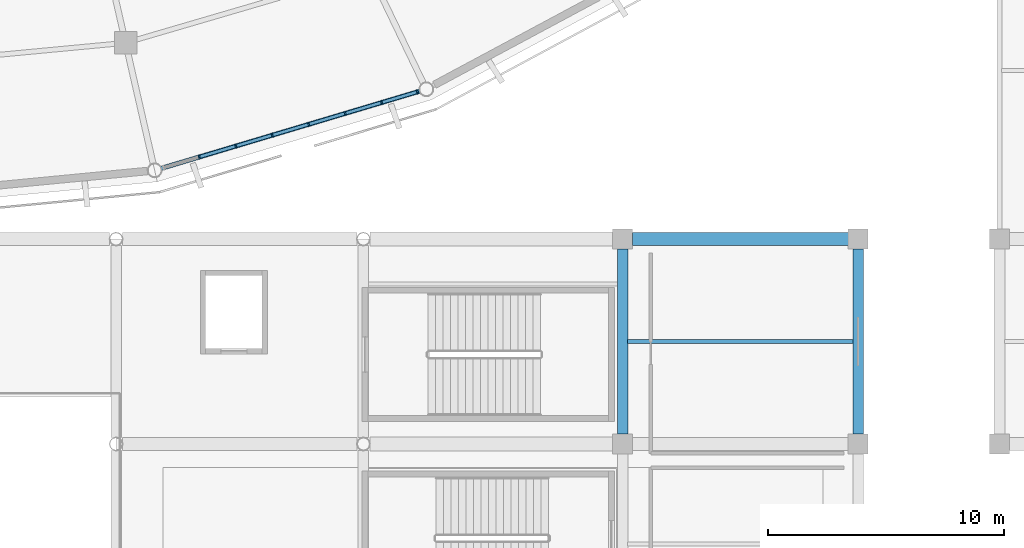
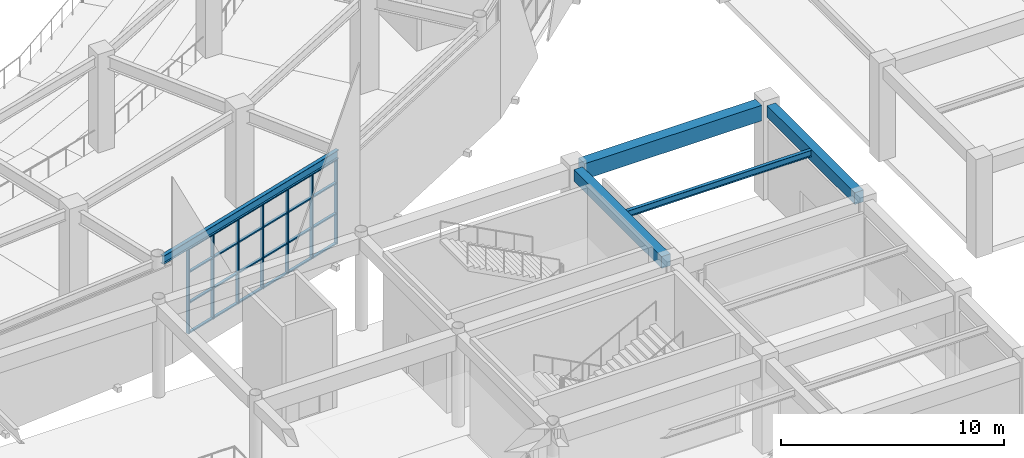
# One storey, part 28 of 120: 31 members, 5 beams, 1 element without a shape of its own.
"""IFC4 building model written with IfcOpenShell, lengths in metres."""

from ifc_helpers import new_model, si_unit, direction, frame, origin, origin_2d, place, context, subcontext, project, spatial, rectangle, i_section, extrude, material, material_profile, profile_set, type_object, element, aggregate, save


model = new_model("IFC4")

# Units and contexts
model_context = context("Model", 3, precision=1e-05, world=origin(), true_north=direction((0.0, 1.0)))
body_context = subcontext(model_context, "Body", "Model", "MODEL_VIEW")
ifc_project = project(units=[si_unit("LENGTHUNIT", "METRE"), si_unit("AREAUNIT", "SQUARE_METRE"), si_unit("VOLUMEUNIT", "CUBIC_METRE"), si_unit("PLANEANGLEUNIT", "RADIAN"), si_unit("MASSUNIT", "GRAM", prefix="KILO")], contexts=[model_context])

# Site, building, storey
site_placement = place(None, origin())
site = spatial("IfcSite", under=ifc_project, at=site_placement, CompositionType="ELEMENT")
building_placement = place(site_placement, origin())
building = spatial("IfcBuilding", under=site, at=building_placement, Name="Cuetzalor Civic Arena", CompositionType="ELEMENT")
storey_placement = place(building_placement, frame((0.0, 0.0, 6.0)))
storey = spatial("IfcBuildingStorey", under=building, at=storey_placement, Name="L01", CompositionType="ELEMENT", Elevation=6.0)

# Beams
ifc_material_1 = material(Name="Concrete C40/50", Category="concrete")
ifc_material_profile_1 = material_profile(ifc_material_1, rectangle(XDim=0.550048828125, YDim=0.85009765625, at=origin_2d()), Name="RC 550x850")
ifc_profile_set_1 = profile_set([ifc_material_profile_1], Name="Concrete C40/50")
beam_type_1 = type_object("IfcBeamType", Name="ConcreteFrameBeam_550x850", PredefinedType="BEAM", material=ifc_profile_set_1)
beam_1_placement = place(storey_placement, frame((32.4150390625, -48.300048828125, 4.695068359375), z_axis=(1.0, 0.0, 0.0), x_axis=(0.0, 1.0, 0.0)))
element("IfcBeam", 1, at=beam_1_placement, inside=storey, type_object=beam_type_1, Name="Frame Girder V3-L01-X0318", PredefinedType="BEAM", context=body_context, shape_type="SweptSolid", body=[
    extrude(rectangle(XDim=0.550048828125, YDim=0.85009765625, at=origin_2d()), origin(), (0.0, 0.0, 1.0), 9.169921875),
])
ifc_material_2 = material(Name="Concrete C40/50", Category="concrete")
ifc_material_profile_2 = material_profile(ifc_material_2, rectangle(XDim=0.449951171875, YDim=0.64990234375, at=origin_2d()), Name="RC 450x650")
ifc_profile_set_2 = profile_set([ifc_material_profile_2], Name="Concrete C40/50")
beam_type_2 = type_object("IfcBeamType", Name="ConcreteTieBeam_450x650", PredefinedType="BEAM", material=ifc_profile_set_2)
for number, where, z_axis, x_axis, name in (
    (2, (32.0, -56.5849609375, 4.794921875), (0.0, 1.0, 0.0), (-1.0, 0.0, 0.0), "Frame Girder V3-L01-Y0341"),
    (3, (42.0, -56.5849609375, 4.794921875), (0.0, 1.0, 0.0), (-1.0, 0.0, 0.0), "Frame Girder V3-L01-Y0344"),
):
    element("IfcBeam", number, at=place(storey_placement, frame(where, z_axis=z_axis, x_axis=x_axis)), inside=storey, type_object=beam_type_2, Name=name, PredefinedType="BEAM", context=body_context, shape_type="SweptSolid", body=[
        extrude(rectangle(XDim=0.449951171875, YDim=0.64990234375, at=origin_2d()), origin(), (0.0, 0.0, 1.0), 7.869873046875),
    ])

# Curtain wall, members
ifc_material_3 = material(Name="Anodised dark bronze aluminium and low-E solar glass", Category="aluminium")
curtain_wall_type = type_object("IfcCurtainWallType", Name="UnitisedCW_11300x4650", PredefinedType="USERDEFINED", material=ifc_material_3)
curtain_wall_placement = place(storey_placement, origin())
curtain_wall = element("IfcCurtainWall", 4, at=curtain_wall_placement, inside=storey, type_object=curtain_wall_type, Name="Drum Triangle Foyer Curtain Wall L01-030", ObjectType="UNITISED CURTAIN WALL", PredefinedType="USERDEFINED")
ifc_material_4 = material(Name="Anodised dark bronze aluminium", Category="aluminium")
ifc_material_profile_3 = material_profile(ifc_material_4, rectangle(XDim=0.070068359375, YDim=0.179931640625, at=origin_2d()), Name="ALU MULLION 70x180")
ifc_profile_set_3 = profile_set([ifc_material_profile_3], Name="Anodised dark bronze aluminium")
member_type_1 = type_object("IfcMemberType", Name="CurtainWallMullion_65x180", PredefinedType="MULLION", material=ifc_profile_set_3)
member_1_placement = place(storey_placement, frame((23.28857421875, -42.053466796875, 0.0), z_axis=(0.0, 0.0, 1.0), x_axis=(-0.958193690548, -0.286120344251, 0.0)))
member_1 = element("IfcMember", 5, at=member_1_placement, type_object=member_type_1, Name="CW-09 mullion 1", PredefinedType="MULLION", context=body_context, shape_type="SweptSolid", body=[
    extrude(rectangle(XDim=0.070068359375, YDim=0.179931640625, at=origin_2d()), origin(), (0.0, 0.0, 1.0), 4.653076171875),
])
member_2_placement = place(storey_placement, frame((21.77392578125, -42.505859375, 0.0), z_axis=(0.0, 0.0, 1.0), x_axis=(-0.958193690548, -0.286120344251, 0.0)))
member_2 = element("IfcMember", 6, at=member_2_placement, type_object=member_type_1, Name="CW-09 mullion 2", PredefinedType="MULLION", context=body_context, shape_type="SweptSolid", body=[
    extrude(rectangle(XDim=0.070068359375, YDim=0.179931640625, at=origin_2d()), origin(), (0.0, 0.0, 1.0), 4.653076171875),
])
member_3_placement = place(storey_placement, frame((20.2255859375, -42.968017578125, 0.0), z_axis=(0.0, 0.0, 1.0), x_axis=(-0.958193690548, -0.286120344251, 0.0)))
member_3 = element("IfcMember", 7, at=member_3_placement, type_object=member_type_1, Name="CW-09 mullion 3", PredefinedType="MULLION", context=body_context, shape_type="SweptSolid", body=[
    extrude(rectangle(XDim=0.070068359375, YDim=0.179931640625, at=origin_2d()), origin(), (0.0, 0.0, 1.0), 4.653076171875),
])
member_4_placement = place(storey_placement, frame((18.677490234375, -43.430419921875, 0.0), z_axis=(0.0, 0.0, 1.0), x_axis=(-0.958193690548, -0.286120344251, 0.0)))
member_4 = element("IfcMember", 8, at=member_4_placement, type_object=member_type_1, Name="CW-09 mullion 4", PredefinedType="MULLION", context=body_context, shape_type="SweptSolid", body=[
    extrude(rectangle(XDim=0.070068359375, YDim=0.179931640625, at=origin_2d()), origin(), (0.0, 0.0, 1.0), 4.653076171875),
])
member_5_placement = place(storey_placement, frame((17.12939453125, -43.892578125, 0.0), z_axis=(0.0, 0.0, 1.0), x_axis=(-0.958193690548, -0.286120344251, 0.0)))
member_5 = element("IfcMember", 9, at=member_5_placement, type_object=member_type_1, Name="CW-09 mullion 5", PredefinedType="MULLION", context=body_context, shape_type="SweptSolid", body=[
    extrude(rectangle(XDim=0.070068359375, YDim=0.179931640625, at=origin_2d()), origin(), (0.0, 0.0, 1.0), 4.653076171875),
])
member_6_placement = place(storey_placement, frame((15.581298828125, -44.35498046875, 0.0), z_axis=(0.0, 0.0, 1.0), x_axis=(-0.958193690548, -0.286120344251, 0.0)))
member_6 = element("IfcMember", 10, at=member_6_placement, type_object=member_type_1, Name="CW-09 mullion 6", PredefinedType="MULLION", context=body_context, shape_type="SweptSolid", body=[
    extrude(rectangle(XDim=0.070068359375, YDim=0.179931640625, at=origin_2d()), origin(), (0.0, 0.0, 1.0), 4.653076171875),
])
member_7_placement = place(storey_placement, frame((14.032958984375, -44.817138671875, 0.0), z_axis=(0.0, 0.0, 1.0), x_axis=(-0.958193690548, -0.286120344251, 0.0)))
member_7 = element("IfcMember", 11, at=member_7_placement, type_object=member_type_1, Name="CW-09 mullion 7", PredefinedType="MULLION", context=body_context, shape_type="SweptSolid", body=[
    extrude(rectangle(XDim=0.070068359375, YDim=0.179931640625, at=origin_2d()), origin(), (0.0, 0.0, 1.0), 4.653076171875),
])
ifc_material_5 = material(Name="Anodised dark bronze aluminium", Category="aluminium")
ifc_material_profile_4 = material_profile(ifc_material_5, rectangle(XDim=0.139892578125, YDim=0.070068359375, at=origin_2d()), Name="ALU TRANSOM 70x140")
ifc_profile_set_4 = profile_set([ifc_material_profile_4], Name="Anodised dark bronze aluminium")
member_type_2 = type_object("IfcMemberType", Name="CurtainWallTransom_65x140", PredefinedType="USERDEFINED", material=ifc_profile_set_4)
member_8_placement = place(storey_placement, frame((23.2548828125, -42.0634765625, 0.034912109375), z_axis=(-0.958168093169, -0.286206053804, 0.0), x_axis=(0.286206053804, -0.958168093169, 0.0)))
member_8 = element("IfcMember", 12, at=member_8_placement, type_object=member_type_2, Name="CW-09 transom 1.1", ObjectType="TRANSOM", PredefinedType="USERDEFINED", context=body_context, shape_type="SweptSolid", body=[
    extrude(rectangle(XDim=0.139892578125, YDim=0.070068359375, at=origin_2d()), origin(), (0.0, 0.0, 1.0), 1.5107421875),
])
member_9_placement = place(storey_placement, frame((23.2548828125, -42.0634765625, 1.675048828125), z_axis=(-0.958168093169, -0.286206053804, 0.0), x_axis=(0.286206053804, -0.958168093169, 0.0)))
member_9 = element("IfcMember", 13, at=member_9_placement, type_object=member_type_2, Name="CW-09 transom 1.2", ObjectType="TRANSOM", PredefinedType="USERDEFINED", context=body_context, shape_type="SweptSolid", body=[
    extrude(rectangle(XDim=0.139892578125, YDim=0.070068359375, at=origin_2d()), origin(), (0.0, 0.0, 1.0), 1.5107421875),
])
member_10_placement = place(storey_placement, frame((23.2548828125, -42.0634765625, 3.35009765625), z_axis=(-0.958168093169, -0.286206053804, 0.0), x_axis=(0.286206053804, -0.958168093169, 0.0)))
member_10 = element("IfcMember", 14, at=member_10_placement, type_object=member_type_2, Name="CW-09 transom 1.3", ObjectType="TRANSOM", PredefinedType="USERDEFINED", context=body_context, shape_type="SweptSolid", body=[
    extrude(rectangle(XDim=0.139892578125, YDim=0.070068359375, at=origin_2d()), origin(), (0.0, 0.0, 1.0), 1.5107421875),
])
member_11_placement = place(storey_placement, frame((23.2548828125, -42.0634765625, 4.617919921875), z_axis=(-0.958168093169, -0.286206053804, 0.0), x_axis=(0.286206053804, -0.958168093169, 0.0)))
member_11 = element("IfcMember", 15, at=member_11_placement, type_object=member_type_2, Name="CW-09 transom 1.4", ObjectType="TRANSOM", PredefinedType="USERDEFINED", context=body_context, shape_type="SweptSolid", body=[
    extrude(rectangle(XDim=0.139892578125, YDim=0.070068359375, at=origin_2d()), origin(), (0.0, 0.0, 1.0), 1.5107421875),
])
member_12_placement = place(storey_placement, frame((21.740234375, -42.515869140625, 0.034912109375), z_axis=(-0.958208027284, -0.286072327302, 0.0), x_axis=(0.286072327302, -0.958208027284, 0.0)))
member_12 = element("IfcMember", 16, at=member_12_placement, type_object=member_type_2, Name="CW-09 transom 2.1", ObjectType="TRANSOM", PredefinedType="USERDEFINED", context=body_context, shape_type="SweptSolid", body=[
    extrude(rectangle(XDim=0.139892578125, YDim=0.070068359375, at=origin_2d()), origin(), (0.0, 0.0, 1.0), 1.545654296875),
])
member_13_placement = place(storey_placement, frame((21.740234375, -42.515869140625, 1.675048828125), z_axis=(-0.958208027284, -0.286072327302, 0.0), x_axis=(0.286072327302, -0.958208027284, 0.0)))
member_13 = element("IfcMember", 17, at=member_13_placement, type_object=member_type_2, Name="CW-09 transom 2.2", ObjectType="TRANSOM", PredefinedType="USERDEFINED", context=body_context, shape_type="SweptSolid", body=[
    extrude(rectangle(XDim=0.139892578125, YDim=0.070068359375, at=origin_2d()), origin(), (0.0, 0.0, 1.0), 1.545654296875),
])
member_14_placement = place(storey_placement, frame((21.740234375, -42.515869140625, 3.35009765625), z_axis=(-0.958208027284, -0.286072327302, 0.0), x_axis=(0.286072327302, -0.958208027284, 0.0)))
member_14 = element("IfcMember", 18, at=member_14_placement, type_object=member_type_2, Name="CW-09 transom 2.3", ObjectType="TRANSOM", PredefinedType="USERDEFINED", context=body_context, shape_type="SweptSolid", body=[
    extrude(rectangle(XDim=0.139892578125, YDim=0.070068359375, at=origin_2d()), origin(), (0.0, 0.0, 1.0), 1.545654296875),
])
member_15_placement = place(storey_placement, frame((21.740234375, -42.515869140625, 4.617919921875), z_axis=(-0.958208027284, -0.286072327302, 0.0), x_axis=(0.286072327302, -0.958208027284, 0.0)))
member_15 = element("IfcMember", 19, at=member_15_placement, type_object=member_type_2, Name="CW-09 transom 2.4", ObjectType="TRANSOM", PredefinedType="USERDEFINED", context=body_context, shape_type="SweptSolid", body=[
    extrude(rectangle(XDim=0.139892578125, YDim=0.070068359375, at=origin_2d()), origin(), (0.0, 0.0, 1.0), 1.545654296875),
])
member_16_placement = place(storey_placement, frame((20.192138671875, -42.97802734375, 0.034912109375), z_axis=(-0.958164717752, -0.286217353869, 0.0), x_axis=(0.286217353869, -0.958164717752, 0.0)))
member_16 = element("IfcMember", 20, at=member_16_placement, type_object=member_type_2, Name="CW-09 transom 3.1", ObjectType="TRANSOM", PredefinedType="USERDEFINED", context=body_context, shape_type="SweptSolid", body=[
    extrude(rectangle(XDim=0.139892578125, YDim=0.070068359375, at=origin_2d()), origin(), (0.0, 0.0, 1.0), 1.545654296875),
])
member_17_placement = place(storey_placement, frame((20.192138671875, -42.97802734375, 1.675048828125), z_axis=(-0.958164717752, -0.286217353869, 0.0), x_axis=(0.286217353869, -0.958164717752, 0.0)))
member_17 = element("IfcMember", 21, at=member_17_placement, type_object=member_type_2, Name="CW-09 transom 3.2", ObjectType="TRANSOM", PredefinedType="USERDEFINED", context=body_context, shape_type="SweptSolid", body=[
    extrude(rectangle(XDim=0.139892578125, YDim=0.070068359375, at=origin_2d()), origin(), (0.0, 0.0, 1.0), 1.545654296875),
])
member_18_placement = place(storey_placement, frame((20.192138671875, -42.97802734375, 3.35009765625), z_axis=(-0.958164717752, -0.286217353869, 0.0), x_axis=(0.286217353869, -0.958164717752, 0.0)))
member_18 = element("IfcMember", 22, at=member_18_placement, type_object=member_type_2, Name="CW-09 transom 3.3", ObjectType="TRANSOM", PredefinedType="USERDEFINED", context=body_context, shape_type="SweptSolid", body=[
    extrude(rectangle(XDim=0.139892578125, YDim=0.070068359375, at=origin_2d()), origin(), (0.0, 0.0, 1.0), 1.545654296875),
])
member_19_placement = place(storey_placement, frame((20.192138671875, -42.97802734375, 4.617919921875), z_axis=(-0.958164717752, -0.286217353869, 0.0), x_axis=(0.286217353869, -0.958164717752, 0.0)))
member_19 = element("IfcMember", 23, at=member_19_placement, type_object=member_type_2, Name="CW-09 transom 3.4", ObjectType="TRANSOM", PredefinedType="USERDEFINED", context=body_context, shape_type="SweptSolid", body=[
    extrude(rectangle(XDim=0.139892578125, YDim=0.070068359375, at=origin_2d()), origin(), (0.0, 0.0, 1.0), 1.545654296875),
])
member_20_placement = place(storey_placement, frame((18.64404296875, -43.4404296875, 0.034912109375), z_axis=(-0.958220951688, -0.286029033049, 0.0), x_axis=(0.286029033049, -0.958220951688, 0.0)))
member_20 = element("IfcMember", 24, at=member_20_placement, type_object=member_type_2, Name="CW-09 transom 4.1", ObjectType="TRANSOM", PredefinedType="USERDEFINED", context=body_context, shape_type="SweptSolid", body=[
    extrude(rectangle(XDim=0.139892578125, YDim=0.070068359375, at=origin_2d()), origin(), (0.0, 0.0, 1.0), 1.5458984375),
])
member_21_placement = place(storey_placement, frame((18.64404296875, -43.4404296875, 1.675048828125), z_axis=(-0.958220951688, -0.286029033049, 0.0), x_axis=(0.286029033049, -0.958220951688, 0.0)))
member_21 = element("IfcMember", 25, at=member_21_placement, type_object=member_type_2, Name="CW-09 transom 4.2", ObjectType="TRANSOM", PredefinedType="USERDEFINED", context=body_context, shape_type="SweptSolid", body=[
    extrude(rectangle(XDim=0.139892578125, YDim=0.070068359375, at=origin_2d()), origin(), (0.0, 0.0, 1.0), 1.5458984375),
])
member_22_placement = place(storey_placement, frame((18.64404296875, -43.4404296875, 3.35009765625), z_axis=(-0.958220951688, -0.286029033049, 0.0), x_axis=(0.286029033049, -0.958220951688, 0.0)))
member_22 = element("IfcMember", 26, at=member_22_placement, type_object=member_type_2, Name="CW-09 transom 4.3", ObjectType="TRANSOM", PredefinedType="USERDEFINED", context=body_context, shape_type="SweptSolid", body=[
    extrude(rectangle(XDim=0.139892578125, YDim=0.070068359375, at=origin_2d()), origin(), (0.0, 0.0, 1.0), 1.5458984375),
])
member_23_placement = place(storey_placement, frame((18.64404296875, -43.4404296875, 4.617919921875), z_axis=(-0.958220951688, -0.286029033049, 0.0), x_axis=(0.286029033049, -0.958220951688, 0.0)))
member_23 = element("IfcMember", 27, at=member_23_placement, type_object=member_type_2, Name="CW-09 transom 4.4", ObjectType="TRANSOM", PredefinedType="USERDEFINED", context=body_context, shape_type="SweptSolid", body=[
    extrude(rectangle(XDim=0.139892578125, YDim=0.070068359375, at=origin_2d()), origin(), (0.0, 0.0, 1.0), 1.5458984375),
])
member_24_placement = place(storey_placement, frame((17.095947265625, -43.902587890625, 0.034912109375), z_axis=(-0.958177654678, -0.286174041582, 0.0), x_axis=(0.286174041582, -0.958177654678, 0.0)))
member_24 = element("IfcMember", 28, at=member_24_placement, type_object=member_type_2, Name="CW-09 transom 5.1", ObjectType="TRANSOM", PredefinedType="USERDEFINED", context=body_context, shape_type="SweptSolid", body=[
    extrude(rectangle(XDim=0.139892578125, YDim=0.070068359375, at=origin_2d()), origin(), (0.0, 0.0, 1.0), 1.5458984375),
])
member_25_placement = place(storey_placement, frame((17.095947265625, -43.902587890625, 1.675048828125), z_axis=(-0.958177654678, -0.286174041582, 0.0), x_axis=(0.286174041582, -0.958177654678, 0.0)))
member_25 = element("IfcMember", 29, at=member_25_placement, type_object=member_type_2, Name="CW-09 transom 5.2", ObjectType="TRANSOM", PredefinedType="USERDEFINED", context=body_context, shape_type="SweptSolid", body=[
    extrude(rectangle(XDim=0.139892578125, YDim=0.070068359375, at=origin_2d()), origin(), (0.0, 0.0, 1.0), 1.5458984375),
])
member_26_placement = place(storey_placement, frame((17.095947265625, -43.902587890625, 3.35009765625), z_axis=(-0.958177654678, -0.286174041582, 0.0), x_axis=(0.286174041582, -0.958177654678, 0.0)))
member_26 = element("IfcMember", 30, at=member_26_placement, type_object=member_type_2, Name="CW-09 transom 5.3", ObjectType="TRANSOM", PredefinedType="USERDEFINED", context=body_context, shape_type="SweptSolid", body=[
    extrude(rectangle(XDim=0.139892578125, YDim=0.070068359375, at=origin_2d()), origin(), (0.0, 0.0, 1.0), 1.5458984375),
])
member_27_placement = place(storey_placement, frame((17.095947265625, -43.902587890625, 4.617919921875), z_axis=(-0.958177654678, -0.286174041582, 0.0), x_axis=(0.286174041582, -0.958177654678, 0.0)))
member_27 = element("IfcMember", 31, at=member_27_placement, type_object=member_type_2, Name="CW-09 transom 5.4", ObjectType="TRANSOM", PredefinedType="USERDEFINED", context=body_context, shape_type="SweptSolid", body=[
    extrude(rectangle(XDim=0.139892578125, YDim=0.070068359375, at=origin_2d()), origin(), (0.0, 0.0, 1.0), 1.5458984375),
])
member_28_placement = place(storey_placement, frame((15.547607421875, -44.364990234375, 0.034912109375), z_axis=(-0.958208027284, -0.286072327302, 0.0), x_axis=(0.286072327302, -0.958208027284, 0.0)))
member_28 = element("IfcMember", 32, at=member_28_placement, type_object=member_type_2, Name="CW-09 transom 6.1", ObjectType="TRANSOM", PredefinedType="USERDEFINED", context=body_context, shape_type="SweptSolid", body=[
    extrude(rectangle(XDim=0.139892578125, YDim=0.070068359375, at=origin_2d()), origin(), (0.0, 0.0, 1.0), 1.545654296875),
])
member_29_placement = place(storey_placement, frame((15.547607421875, -44.364990234375, 1.675048828125), z_axis=(-0.958208027284, -0.286072327302, 0.0), x_axis=(0.286072327302, -0.958208027284, 0.0)))
member_29 = element("IfcMember", 33, at=member_29_placement, type_object=member_type_2, Name="CW-09 transom 6.2", ObjectType="TRANSOM", PredefinedType="USERDEFINED", context=body_context, shape_type="SweptSolid", body=[
    extrude(rectangle(XDim=0.139892578125, YDim=0.070068359375, at=origin_2d()), origin(), (0.0, 0.0, 1.0), 1.545654296875),
])
member_30_placement = place(storey_placement, frame((15.547607421875, -44.364990234375, 3.35009765625), z_axis=(-0.958208027284, -0.286072327302, 0.0), x_axis=(0.286072327302, -0.958208027284, 0.0)))
member_30 = element("IfcMember", 34, at=member_30_placement, type_object=member_type_2, Name="CW-09 transom 6.3", ObjectType="TRANSOM", PredefinedType="USERDEFINED", context=body_context, shape_type="SweptSolid", body=[
    extrude(rectangle(XDim=0.139892578125, YDim=0.070068359375, at=origin_2d()), origin(), (0.0, 0.0, 1.0), 1.545654296875),
])
member_31_placement = place(storey_placement, frame((15.547607421875, -44.364990234375, 4.617919921875), z_axis=(-0.958208027284, -0.286072327302, 0.0), x_axis=(0.286072327302, -0.958208027284, 0.0)))
member_31 = element("IfcMember", 35, at=member_31_placement, type_object=member_type_2, Name="CW-09 transom 6.4", ObjectType="TRANSOM", PredefinedType="USERDEFINED", context=body_context, shape_type="SweptSolid", body=[
    extrude(rectangle(XDim=0.139892578125, YDim=0.070068359375, at=origin_2d()), origin(), (0.0, 0.0, 1.0), 1.545654296875),
])
aggregate(curtain_wall, [member_1, member_2, member_3, member_4, member_5, member_6, member_7, member_8, member_9, member_10, member_11, member_12, member_13, member_14, member_15, member_16, member_17, member_18, member_19, member_20, member_21, member_22, member_23, member_24, member_25, member_26, member_27, member_28, member_29, member_30, member_31])

# Beams
ifc_material_6 = material(Name="Steel S355", Category="steel")
ifc_material_profile_5 = material_profile(ifc_material_6, i_section(OverallWidth=0.18994140625, OverallDepth=0.45703125, WebThickness=0.009033203125, FlangeThickness=0.014404296875, at=origin_2d()), Name="W460x74")
ifc_profile_set_5 = profile_set([ifc_material_profile_5], Name="Steel S355")
beam_type_3 = type_object("IfcBeamType", Name="FacadeSpandrelBeam_W460", PredefinedType="SPANDREL", material=ifc_profile_set_5)
beam_2_placement = place(storey_placement, frame((12.41650390625, -45.2998046875, 4.8916015625), z_axis=(0.958199215373, 0.28610184141, 0.0), x_axis=(-0.28610184141, 0.958199215373, 0.0)))
element("IfcBeam", 36, at=beam_2_placement, inside=storey, type_object=beam_type_3, Name="Drum Perimeter Spandrel L01-S23", PredefinedType="SPANDREL", context=body_context, shape_type="SweptSolid", body=[
    extrude(i_section(OverallWidth=0.18994140625, OverallDepth=0.45703125, WebThickness=0.009033203125, FlangeThickness=0.014404296875, at=origin_2d()), origin(), (0.0, 0.0, 1.0), 11.45263671875),
])
ifc_material_7 = material(Name="Steel S355", Category="steel")
ifc_material_profile_6 = material_profile(ifc_material_7, i_section(OverallWidth=0.1708984375, OverallDepth=0.35498046875, WebThickness=0.007080078125, FlangeThickness=0.01171875, at=origin_2d()), Name="W360x51")
ifc_profile_set_6 = profile_set([ifc_material_profile_6], Name="Steel S355")
beam_type_4 = type_object("IfcBeamType", Name="SecondaryFloorJoist_W360", PredefinedType="JOIST", material=ifc_profile_set_6)
beam_3_placement = place(storey_placement, frame((32.217041015625, -52.64990234375, 4.9423828125), z_axis=(1.0, 0.0, 0.0), x_axis=(0.0, 1.0, 0.0)))
element("IfcBeam", 37, at=beam_3_placement, inside=storey, type_object=beam_type_4, Name="Secondary Floor Joist V3-L01-0104", PredefinedType="JOIST", context=body_context, shape_type="SweptSolid", body=[
    extrude(i_section(OverallWidth=0.1708984375, OverallDepth=0.35498046875, WebThickness=0.007080078125, FlangeThickness=0.01171875, at=origin_2d()), origin(), (0.0, 0.0, 1.0), 9.56591796875),
])

save(model, "model.ifc")
